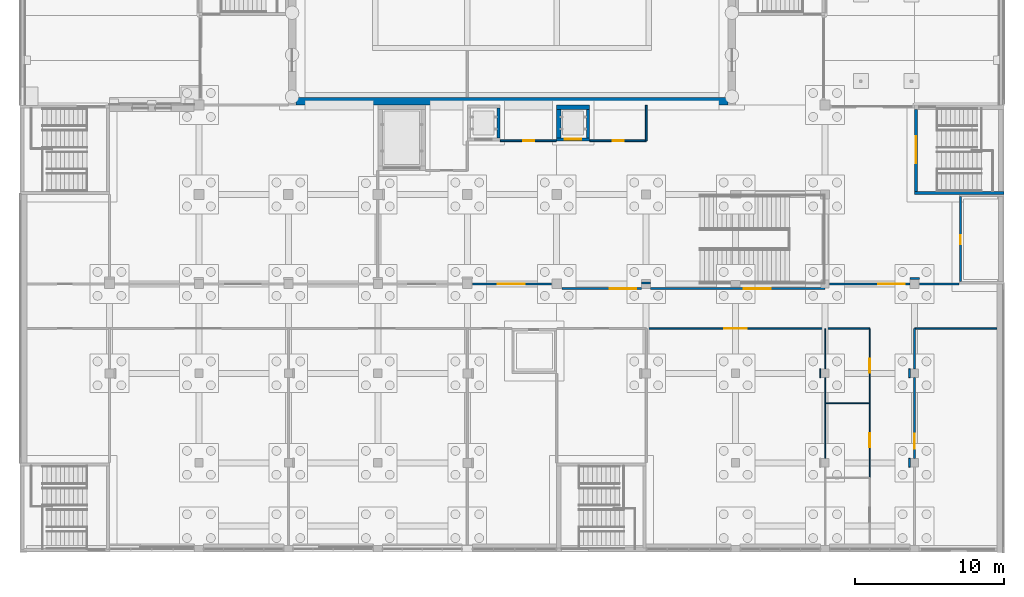
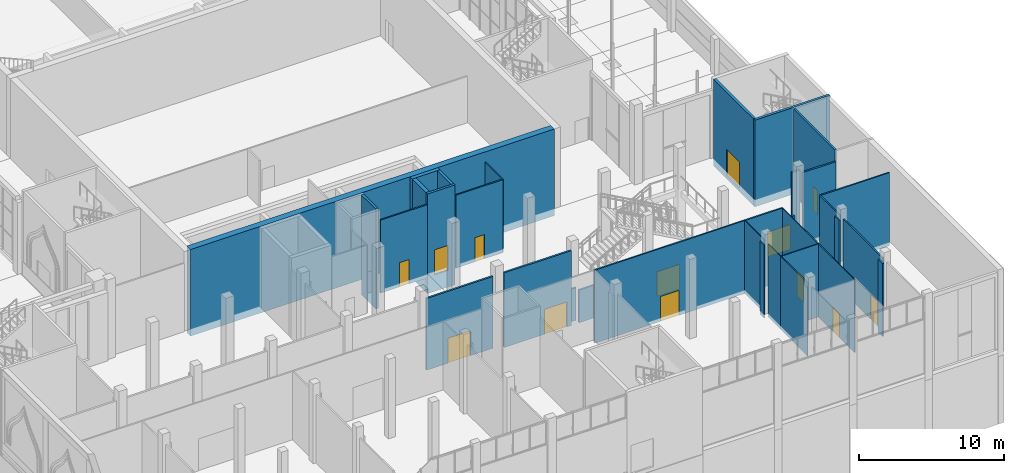
# One storey, part 42 of 95: 32 walls, 13 doors, 13 openings.
"""IFC4 building model written with IfcOpenShell, lengths in metres."""

import ifcopenshell
import ifcopenshell.guid

model = None  # the IFC model being written
_history = None  # IfcOwnerHistory: only IFC2X3 demands one
_inside = {}  # id of a spatial element -> (the spatial element, [elements in it])
_under = {}  # id of a project, library or spatial element -> (it, [spatial elements below it])
_declared = {}  # id of a project -> (the project, [libraries it declares])
_typed = {}  # id of a type object -> (the type object, [elements of that type])
_made_of = {}  # id of a material, layer set ... -> (it, [elements and type objects made of it])


def new_model(schema):
    """Start an empty IFC model of exactly this schema.

    Asked for "IFC4X3", IfcOpenShell would pick the latest addendum, in which some entities
    have other attributes; the version numbers below select the first issue.
    IFC2X3 requires an IfcOwnerHistory on every rooted entity: one is made here for all.
    """
    global model, _history
    if schema == "IFC4X3":
        model = ifcopenshell.file(schema_version=(4, 3, 0, 0))
    else:
        model = ifcopenshell.file(schema=schema)
    _inside.clear()
    _under.clear()
    _declared.clear()
    _typed.clear()
    _made_of.clear()
    _history = None
    if model.schema == "IFC2X3":
        org = make("IfcOrganization", Name="unknown")
        user = make(
            "IfcPersonAndOrganization",
            ThePerson=make("IfcPerson", FamilyName="unknown"),
            TheOrganization=org,
        )
        app = make(
            "IfcApplication",
            ApplicationDeveloper=org,
            Version="unknown",
            ApplicationFullName="unknown",
            ApplicationIdentifier="unknown",
        )
        _history = make(
            "IfcOwnerHistory",
            OwningUser=user,
            OwningApplication=app,
            ChangeAction="ADDED",
            CreationDate=0,
        )
    return model


def make(cls, **values):
    """One entity of the class cls with the attributes given. An attribute that is None is left unset."""
    return model.create_entity(
        cls, **{name: value for name, value in values.items() if value is not None}
    )


def rooted(cls, **values):
    """An entity with a GlobalId (a new one), such as an element, a storey or a relation."""
    return make(cls, GlobalId=ifcopenshell.guid.new(), OwnerHistory=_history, **values)


def si_unit(unit_type, name, prefix=None):
    """IfcSIUnit, for example si_unit("LENGTHUNIT", "METRE", prefix="MILLI")."""
    return make("IfcSIUnit", UnitType=unit_type, Prefix=prefix, Name=name)


def assignment(units):
    """IfcUnitAssignment: the units of a project."""
    return None if units is None else make("IfcUnitAssignment", Units=units)


def point(xyz):
    """IfcCartesianPoint."""
    return None if xyz is None else make("IfcCartesianPoint", Coordinates=xyz)


def direction(xyz):
    """IfcDirection."""
    return None if xyz is None else make("IfcDirection", DirectionRatios=xyz)


def frame(location, z_axis=None, x_axis=None):
    """IfcAxis2Placement3D, a coordinate frame: its origin and axes. An axis left out is left unset."""
    return make(
        "IfcAxis2Placement3D",
        Location=point(location),
        Axis=direction(z_axis),
        RefDirection=direction(x_axis),
    )


def frame_2d(location, x_axis=None):
    """IfcAxis2Placement2D, a coordinate frame in the plane: its origin and x axis."""
    return make(
        "IfcAxis2Placement2D", Location=point(location), RefDirection=direction(x_axis)
    )


def origin():
    """The frame at (0, 0, 0) with its axes left unset."""
    return frame((0.0, 0.0, 0.0))


def place(relative_to, where):
    """IfcLocalPlacement: puts the frame where relative to a parent placement (None: the world)."""
    return make(
        "IfcLocalPlacement", PlacementRelTo=relative_to, RelativePlacement=where
    )


def context(
    kind, dimensions, precision=None, world=None, true_north=None, identifier=None
):
    """IfcGeometricRepresentationContext, for example the 3D "Model" context."""
    return make(
        "IfcGeometricRepresentationContext",
        ContextIdentifier=identifier,
        ContextType=kind,
        CoordinateSpaceDimension=dimensions,
        Precision=precision,
        WorldCoordinateSystem=world,
        TrueNorth=true_north,
    )


def subcontext(parent, identifier, kind, view, scale=None):
    """IfcGeometricRepresentationSubContext, for example "Body" below "Model"."""
    return make(
        "IfcGeometricRepresentationSubContext",
        ContextIdentifier=identifier,
        ContextType=kind,
        ParentContext=parent,
        TargetScale=scale,
        TargetView=view,
    )


def project(units=None, contexts=None):
    """IfcProject with its units and contexts."""
    return rooted(
        "IfcProject",
        Name="project",
        RepresentationContexts=contexts,
        UnitsInContext=assignment(units),
    )


def spatial(cls, under=None, at=None, **own):
    """A site, building, storey or space (cls), placed at a placement, below another one or the project."""
    s = rooted(cls, ObjectPlacement=at, **own)
    if under is not None:
        _under.setdefault(under.id(), (under, []))[1].append(s)
    return s


def profile(cls, at=None, kind="AREA", **sizes):
    """A parametric profile (cls). Its sizes go by their IFC names, for example OverallWidth=200.0."""
    return make(cls, ProfileType=kind, Position=at, **sizes)


def rectangle(**sizes):
    """IfcRectangleProfileDef."""
    return profile("IfcRectangleProfileDef", **sizes)


def extrude(swept, where, along, depth):
    """IfcExtrudedAreaSolid: the profile swept, set in the frame where, extruded along a direction by depth."""
    return make(
        "IfcExtrudedAreaSolid",
        SweptArea=swept,
        Position=where,
        ExtrudedDirection=direction(along),
        Depth=depth,
    )


def shape(context_of_items, identifier, shape_type, items):
    """IfcShapeRepresentation: the items that make up one representation, for example the "Body"."""
    return make(
        "IfcShapeRepresentation",
        ContextOfItems=context_of_items,
        RepresentationIdentifier=identifier,
        RepresentationType=shape_type,
        Items=items,
    )


def material(Name=None, Category=None):
    """IfcMaterial."""
    return make("IfcMaterial", Name=Name, Category=Category)


def layer(
    of_material, thickness, ventilated=None, Name=None, Category=None, Priority=None
):
    """IfcMaterialLayer: one layer of a wall or slab, of a material (None: an air gap)."""
    return make(
        "IfcMaterialLayer",
        Material=of_material,
        LayerThickness=thickness,
        IsVentilated=ventilated,
        Name=Name,
        Category=Category,
        Priority=Priority,
    )


def layer_set(layers, Name=None):
    """IfcMaterialLayerSet."""
    return make("IfcMaterialLayerSet", MaterialLayers=layers, LayerSetName=Name)


def made_of(thing, what):
    """Note that an element or type object is made of a material, layer set ...; save() writes the relation."""
    if what is not None:
        _made_of.setdefault(what.id(), (what, []))[1].append(thing)
    return thing


def type_object(cls, material=None, **own):
    """A type object (cls), such as IfcWallType, which elements share."""
    return made_of(rooted(cls, **own), material)


def element(
    cls,
    number,
    at=None,
    inside=None,
    cuts=None,
    type_object=None,
    material=None,
    context=None,
    identifier="Body",
    shape_type=None,
    held_by="IfcProductDefinitionShape",
    body=None,
    shapes=None,
    **own,
):
    """One element of the class cls, such as IfcWall. Its Tag is "e" and its number.

    at: its placement. inside: the storey or other place that contains it. cuts: it is an
    opening in that element (IfcRelVoidsElement). A single representation is given by context,
    identifier, shape_type and body (its items); several are given by shapes. held_by: the class
    of the entity that holds the representations. save() writes the other relations.
    """
    e = rooted(cls, Tag="e%d" % number, ObjectPlacement=at, **own)
    if body is not None:
        shapes = [shape(context, identifier, shape_type, body)]
    if shapes is not None:
        e.Representation = make(held_by, Representations=shapes)
    if inside is not None:
        _inside.setdefault(inside.id(), (inside, []))[1].append(e)
    if cuts is not None:
        rooted(
            "IfcRelVoidsElement", RelatingBuildingElement=cuts, RelatedOpeningElement=e
        )
    if type_object is not None:
        _typed.setdefault(type_object.id(), (type_object, []))[1].append(e)
    return made_of(e, material)


def fill(opening, filler):
    """IfcRelFillsElement: the door or window that sits in an opening."""
    return rooted(
        "IfcRelFillsElement",
        RelatingOpeningElement=opening,
        RelatedBuildingElement=filler,
    )


def aggregate(whole, parts):
    """IfcRelAggregates: a whole, such as a stair, and the parts it consists of."""
    return rooted("IfcRelAggregates", RelatingObject=whole, RelatedObjects=parts)


def save(model, path):
    """Write the relations noted so far, then the file.

    IfcRelAggregates (storeys below a building ...), IfcRelContainedInSpatialStructure (elements
    in a storey), IfcRelDefinesByType, IfcRelAssociatesMaterial and IfcRelDeclares: one each for
    every whole, place, type object, material and project.
    """
    for whole, parts in _under.values():
        aggregate(whole, parts)
    for where, things in _inside.values():
        rooted(
            "IfcRelContainedInSpatialStructure",
            RelatedElements=things,
            RelatingStructure=where,
        )
    for kind, things in _typed.values():
        rooted("IfcRelDefinesByType", RelatedObjects=things, RelatingType=kind)
    for what, things in _made_of.values():
        rooted("IfcRelAssociatesMaterial", RelatedObjects=things, RelatingMaterial=what)
    for by, libraries in _declared.values():
        rooted("IfcRelDeclares", RelatingContext=by, RelatedDefinitions=libraries)
    model.write(path)


model = new_model("IFC4")

# Units and contexts
model_context = context("Model", 3, precision=1e-05, world=origin(), true_north=direction((0.0, 1.0)))
body_context = subcontext(model_context, "Body", "Model", "MODEL_VIEW")
ifc_project = project(units=[si_unit("LENGTHUNIT", "METRE"), si_unit("AREAUNIT", "SQUARE_METRE"), si_unit("VOLUMEUNIT", "CUBIC_METRE"), si_unit("PLANEANGLEUNIT", "RADIAN"), si_unit("MASSUNIT", "GRAM", prefix="KILO")], contexts=[model_context])

# Site, building, storey
site_placement = place(None, origin())
site = spatial("IfcSite", under=ifc_project, at=site_placement, CompositionType="ELEMENT")
building_placement = place(site_placement, origin())
building = spatial("IfcBuilding", under=site, at=building_placement, Name="Saffron Lane Theatres", CompositionType="ELEMENT")
storey_placement = place(building_placement, origin())
storey = spatial("IfcBuildingStorey", under=building, at=storey_placement, Name="L00", CompositionType="ELEMENT", Elevation=0.0)

# Wall, opening, door
ifc_material_1 = material(Name="Masonry block partition", Category="masonry")
ifc_layer_1 = layer(ifc_material_1, 0.110107421875)
ifc_layer_set_1 = layer_set([ifc_layer_1], Name="Masonry block partition")
wall_type_1 = type_object("IfcWallType", Name="IN-BLOCK PARTITION 110", PredefinedType="PARTITIONING", material=ifc_layer_set_1)
wall_1_placement = place(storey_placement, frame((32.219970703125, 27.60009765625, 0.0), z_axis=(0.0, 0.0, 1.0), x_axis=(1.0, 0.0, 0.0)))
wall_1 = element("IfcWall", 1, at=wall_1_placement, inside=storey, type_object=wall_type_1, Name="PW-L00-033", PredefinedType="PARTITIONING", context=body_context, shape_type="SweptSolid", body=[
    extrude(rectangle(XDim=3.760009765625, YDim=0.110107421875, at=frame_2d((1.8798828125, 0.0))), origin(), (0.0, 0.0, 1.0), 6.14990234375),
])
opening_1_placement = place(wall_1_placement, frame((1.530029296875, 0.0, 0.0)))
opening_1 = element("IfcOpeningElement", 2, at=opening_1_placement, cuts=wall_1, Name="Opening D00-48", PredefinedType="OPENING", context=body_context, shape_type="SweptSolid", body=[
    extrude(rectangle(XDim=0.75, YDim=2.0400390625, at=frame_2d((0.375, 1.02001953125))), frame((0.0, 0.06494140625, 0.0), z_axis=(0.0, -1.0, 0.0), x_axis=(1.0, 0.0, 0.0)), (0.0, 0.0, 1.0), 0.130126953125),
])
ifc_material_2 = material(Name="Steel faced fire door leaf", Category="steel")
door_type_1 = type_object("IfcDoorType", Name="IN-DOOR 750x2040 FD60", OperationType="NOTDEFINED", PredefinedType="DOOR", material=ifc_material_2)
door_1_placement = place(opening_1_placement, origin())
door_1 = element("IfcDoor", 3, at=door_1_placement, inside=storey, type_object=door_type_1, Name="D00-48", OperationType="SINGLE_SWING_RIGHT", OverallHeight=2.0400390625, OverallWidth=0.75, PredefinedType="DOOR", context=body_context, shape_type="SweptSolid", body=[
    extrude(rectangle(XDim=0.75, YDim=2.0400390625, at=frame_2d((0.375, 1.02001953125))), frame((0.0, 0.02490234375, 0.0), z_axis=(0.0, -1.0, 0.0), x_axis=(1.0, 0.0, 0.0)), (0.0, 0.0, 1.0), 0.050048828125),
])
fill(opening_1, door_1)

wall_2_placement = place(storey_placement, frame((38.219970703125, 27.60009765625, 0.0), z_axis=(0.0, 0.0, 1.0), x_axis=(1.0, 0.0, 0.0)))
wall_2 = element("IfcWall", 4, at=wall_2_placement, inside=storey, type_object=wall_type_1, Name="PW-L00-036", PredefinedType="PARTITIONING", context=body_context, shape_type="SweptSolid", body=[
    extrude(rectangle(XDim=3.780029296875, YDim=0.110107421875, at=frame_2d((1.89013671875, 0.0))), origin(), (0.0, 0.0, 1.0), 6.14990234375),
])
opening_2_placement = place(wall_2_placement, frame((1.530029296875, 0.0, 0.0)))
opening_2 = element("IfcOpeningElement", 5, at=opening_2_placement, cuts=wall_2, Name="Opening D00-49", PredefinedType="OPENING", context=body_context, shape_type="SweptSolid", body=[
    extrude(rectangle(XDim=0.75, YDim=2.0400390625, at=frame_2d((0.375, 1.02001953125))), frame((0.0, 0.06494140625, 0.0), z_axis=(0.0, -1.0, 0.0), x_axis=(1.0, 0.0, 0.0)), (0.0, 0.0, 1.0), 0.130126953125),
])
door_2_placement = place(opening_2_placement, origin())
door_2 = element("IfcDoor", 6, at=door_2_placement, inside=storey, type_object=door_type_1, Name="D00-49", OperationType="SINGLE_SWING_RIGHT", OverallHeight=2.0400390625, OverallWidth=0.75, PredefinedType="DOOR", context=body_context, shape_type="SweptSolid", body=[
    extrude(rectangle(XDim=0.75, YDim=2.0400390625, at=frame_2d((0.375, 1.02001953125))), frame((0.0, 0.02490234375, 0.0), z_axis=(0.0, -1.0, 0.0), x_axis=(1.0, 0.0, 0.0)), (0.0, 0.0, 1.0), 0.050048828125),
])
fill(opening_2, door_2)

# Wall
wall_3_placement = place(storey_placement, frame((42.0, 27.60009765625, 0.0), z_axis=(0.0, 0.0, 1.0), x_axis=(0.0, 1.0, 0.0)))
element("IfcWall", 7, at=wall_3_placement, inside=storey, type_object=wall_type_1, Name="PW-L00-037", PredefinedType="PARTITIONING", context=body_context, shape_type="SweptSolid", body=[
    extrude(rectangle(XDim=2.3798828125, YDim=0.110107421875, at=frame_2d((1.18994140625, 0.0))), origin(), (0.0, 0.0, 1.0), 6.14990234375),
])

# Wall, opening, door
wall_4_placement = place(storey_placement, frame((42.0, 15.0, 0.0), z_axis=(0.0, 0.0, 1.0), x_axis=(1.0, 0.0, 0.0)))
wall_4 = element("IfcWall", 8, at=wall_4_placement, inside=storey, type_object=wall_type_1, Name="PW-L00-041", PredefinedType="PARTITIONING", context=body_context, shape_type="SweptSolid", body=[
    extrude(rectangle(XDim=15.0, YDim=0.110107421875, at=frame_2d((7.5, 0.0))), origin(), (0.0, 0.0, 1.0), 6.14990234375),
])
opening_3_placement = place(wall_4_placement, frame((5.25, 0.0, 0.0)))
opening_3 = element("IfcOpeningElement", 9, at=opening_3_placement, cuts=wall_4, Name="Opening D00-26", PredefinedType="OPENING", context=body_context, shape_type="SweptSolid", body=[
    extrude(rectangle(XDim=1.5, YDim=2.10009765625, at=frame_2d((0.75, 1.050048828125))), frame((0.0, 0.06494140625, 0.0), z_axis=(0.0, -1.0, 0.0), x_axis=(1.0, 0.0, 0.0)), (0.0, 0.0, 1.0), 0.130126953125),
])
ifc_material_3 = material(Name="Steel faced fire door leaf", Category="steel")
door_type_2 = type_object("IfcDoorType", Name="IN-DOOR 1500x2100 FD60", OperationType="DOUBLE_DOOR_SINGLE_SWING", PredefinedType="DOOR", material=ifc_material_3)
door_3_placement = place(opening_3_placement, origin())
door_3 = element("IfcDoor", 10, at=door_3_placement, inside=storey, type_object=door_type_2, Name="D00-26", OperationType="DOUBLE_DOOR_SINGLE_SWING", OverallHeight=2.10009765625, OverallWidth=1.5, PredefinedType="DOOR", context=body_context, shape_type="SweptSolid", body=[
    extrude(rectangle(XDim=1.5, YDim=2.10009765625, at=frame_2d((0.75, 1.050048828125))), frame((0.0, 0.02490234375, 0.0), z_axis=(0.0, -1.0, 0.0), x_axis=(1.0, 0.0, 0.0)), (0.0, 0.0, 1.0), 0.050048828125),
])
fill(opening_3, door_3)

# Walls
wall_5_placement = place(storey_placement, frame((60.0, 15.0, 0.0), z_axis=(0.0, 0.0, 1.0), x_axis=(1.0, 0.0, 0.0)))
element("IfcWall", 11, at=wall_5_placement, inside=storey, type_object=wall_type_1, Name="PW-L00-047", PredefinedType="PARTITIONING", context=body_context, shape_type="SweptSolid", body=[
    extrude(rectangle(XDim=5.52001953125, YDim=0.110107421875, at=frame_2d((2.760009765625, 0.0))), origin(), (0.0, 0.0, 1.0), 6.14990234375),
])
wall_6_placement = place(storey_placement, frame((60.0, 12.294921875, 0.0), z_axis=(0.0, 0.0, 1.0), x_axis=(0.0, 1.0, 0.0)))
element("IfcWall", 12, at=wall_6_placement, inside=storey, type_object=wall_type_1, Name="PW-L00-048", PredefinedType="PARTITIONING", context=body_context, shape_type="SweptSolid", body=[
    extrude(rectangle(XDim=2.705078125, YDim=0.110107421875, at=frame_2d((1.3525390625, 0.0))), origin(), (0.0, 0.0, 1.0), 6.14990234375),
])

# Wall, opening, door
wall_7_placement = place(storey_placement, frame((60.0, 6.294921875, 0.0), z_axis=(0.0, 0.0, 1.0), x_axis=(0.0, 1.0, 0.0)))
wall_7 = element("IfcWall", 13, at=wall_7_placement, inside=storey, type_object=wall_type_1, Name="PW-L00-049", PredefinedType="PARTITIONING", context=body_context, shape_type="SweptSolid", body=[
    extrude(rectangle(XDim=5.41015625, YDim=0.110107421875, at=frame_2d((2.705078125, 0.0))), origin(), (0.0, 0.0, 1.0), 6.14990234375),
])
opening_4_placement = place(wall_7_placement, frame((0.655029296875, 0.0, 0.0)))
opening_4 = element("IfcOpeningElement", 14, at=opening_4_placement, cuts=wall_7, Name="Opening D00-30", PredefinedType="OPENING", context=body_context, shape_type="SweptSolid", body=[
    extrude(rectangle(XDim=1.0, YDim=2.10009765625, at=frame_2d((0.5, 1.050048828125))), frame((0.0, 0.06494140625, 0.0), z_axis=(0.0, -1.0, 0.0), x_axis=(1.0, 0.0, 0.0)), (0.0, 0.0, 1.0), 0.130126953125),
])
ifc_material_4 = material(Name="Steel faced fire door leaf", Category="steel")
door_type_3 = type_object("IfcDoorType", Name="IN-DOOR 1000x2100 FD60", OperationType="NOTDEFINED", PredefinedType="DOOR", material=ifc_material_4)
door_4_placement = place(opening_4_placement, frame((1.0, 0.0, 0.0), z_axis=(0.0, 0.0, 1.0), x_axis=(-1.0, 0.0, 0.0)))
door_4 = element("IfcDoor", 15, at=door_4_placement, inside=storey, type_object=door_type_3, Name="D00-30", OperationType="SINGLE_SWING_LEFT", OverallHeight=2.10009765625, OverallWidth=1.0, PredefinedType="DOOR", context=body_context, shape_type="SweptSolid", body=[
    extrude(rectangle(XDim=1.0, YDim=2.10009765625, at=frame_2d((0.5, 1.050048828125))), frame((0.0, 0.02490234375, 0.0), z_axis=(0.0, -1.0, 0.0), x_axis=(1.0, 0.0, 0.0)), (0.0, 0.0, 1.0), 0.050048828125),
])
fill(opening_4, door_4)

# Walls
for number, where, z_axis, x_axis, name in (
    (16, (59.6650390625, 11.705078125, 0.0), (0.0, 0.0, 1.0), (0.0, 1.0, 0.0), "PW-L00-051"),
    (17, (59.6650390625, 5.705078125, 0.0), (0.0, 0.0, 1.0), (0.0, 1.0, 0.0), "PW-L00-052"),
):
    element("IfcWall", number, at=place(storey_placement, frame(where, z_axis=z_axis, x_axis=x_axis)), inside=storey, type_object=wall_type_1, Name=name, PredefinedType="PARTITIONING", context=body_context, shape_type="SweptSolid", body=[
        extrude(rectangle(XDim=0.58984375, YDim=0.110107421875, at=frame_2d((0.294921875, 0.0))), origin(), (0.0, 0.0, 1.0), 6.14990234375),
    ])

# Wall, opening, door
ifc_material_5 = material(Name="Masonry block partition", Category="masonry")
ifc_layer_2 = layer(ifc_material_5, 0.139892578125)
ifc_layer_set_2 = layer_set([ifc_layer_2], Name="Masonry block partition")
wall_type_2 = type_object("IfcWallType", Name="IN-BLOCK PARTITION 140", PredefinedType="PARTITIONING", material=ifc_layer_set_2)
wall_8_placement = place(storey_placement, frame((30.344970703125, 18.0, 0.0), z_axis=(0.0, 0.0, 1.0), x_axis=(1.0, 0.0, 0.0)))
wall_8 = element("IfcWall", 18, at=wall_8_placement, inside=storey, type_object=wall_type_2, Name="PW-L00-078", PredefinedType="PARTITIONING", context=body_context, shape_type="SweptSolid", body=[
    extrude(rectangle(XDim=5.31005859375, YDim=0.139892578125, at=frame_2d((2.655029296875, 0.0))), origin(), (0.0, 0.0, 1.0), 6.050048828125),
])
opening_5_placement = place(wall_8_placement, frame((1.705078125, 0.0, 0.0)))
opening_5 = element("IfcOpeningElement", 19, at=opening_5_placement, cuts=wall_8, Name="Opening D00-59", PredefinedType="OPENING", context=body_context, shape_type="SweptSolid", body=[
    extrude(rectangle(XDim=1.800048828125, YDim=2.10009765625, at=frame_2d((0.89990234375, 1.050048828125))), frame((0.0, 0.080078125, 0.0), z_axis=(0.0, -1.0, 0.0), x_axis=(1.0, 0.0, 0.0)), (0.0, 0.0, 1.0), 0.159912109375),
])
ifc_material_6 = material(Name="Steel faced fire door leaf", Category="steel")
door_type_4 = type_object("IfcDoorType", Name="IN-DOOR 1800x2100 FD120", OperationType="DOUBLE_DOOR_SINGLE_SWING", PredefinedType="DOOR", material=ifc_material_6)
door_5_placement = place(opening_5_placement, origin())
door_5 = element("IfcDoor", 20, at=door_5_placement, inside=storey, type_object=door_type_4, Name="D00-59", OperationType="DOUBLE_DOOR_SINGLE_SWING", OverallHeight=2.10009765625, OverallWidth=1.800048828125, PredefinedType="DOOR", context=body_context, shape_type="SweptSolid", body=[
    extrude(rectangle(XDim=1.800048828125, YDim=2.10009765625, at=frame_2d((0.89990234375, 1.050048828125))), frame((0.0, 0.02490234375, 0.0), z_axis=(0.0, -1.0, 0.0), x_axis=(1.0, 0.0, 0.0)), (0.0, 0.0, 1.0), 0.050048828125),
])
fill(opening_5, door_5)

wall_9_placement = place(storey_placement, frame((36.344970703125, 17.679931640625, 0.0), z_axis=(0.0, 0.0, 1.0), x_axis=(1.0, 0.0, 0.0)))
wall_9 = element("IfcWall", 21, at=wall_9_placement, inside=storey, type_object=wall_type_2, Name="PW-L00-084", PredefinedType="PARTITIONING", context=body_context, shape_type="SweptSolid", body=[
    extrude(rectangle(XDim=5.35498046875, YDim=0.139892578125, at=frame_2d((2.677490234375, 0.0))), origin(), (0.0, 0.0, 1.0), 6.300048828125),
])
opening_6_placement = place(wall_9_placement, frame((3.205078125, 0.0, 0.0)))
opening_6 = element("IfcOpeningElement", 22, at=opening_6_placement, cuts=wall_9, Name="Opening D00-61", PredefinedType="OPENING", context=body_context, shape_type="SweptSolid", body=[
    extrude(rectangle(XDim=1.800048828125, YDim=2.10009765625, at=frame_2d((0.89990234375, 1.050048828125))), frame((0.0, 0.080078125, 0.0), z_axis=(0.0, -1.0, 0.0), x_axis=(1.0, 0.0, 0.0)), (0.0, 0.0, 1.0), 0.159912109375),
])
door_6_placement = place(opening_6_placement, origin())
door_6 = element("IfcDoor", 23, at=door_6_placement, inside=storey, type_object=door_type_4, Name="D00-61", OperationType="DOUBLE_DOOR_SINGLE_SWING", OverallHeight=2.10009765625, OverallWidth=1.800048828125, PredefinedType="DOOR", context=body_context, shape_type="SweptSolid", body=[
    extrude(rectangle(XDim=1.800048828125, YDim=2.10009765625, at=frame_2d((0.89990234375, 1.050048828125))), frame((0.0, 0.02490234375, 0.0), z_axis=(0.0, -1.0, 0.0), x_axis=(1.0, 0.0, 0.0)), (0.0, 0.0, 1.0), 0.050048828125),
])
fill(opening_6, door_6)

wall_10_placement = place(storey_placement, frame((42.300048828125, 17.679931640625, 0.0), z_axis=(0.0, 0.0, 1.0), x_axis=(1.0, 0.0, 0.0)))
wall_10 = element("IfcWall", 24, at=wall_10_placement, inside=storey, type_object=wall_type_2, Name="PW-L00-085", PredefinedType="PARTITIONING", context=body_context, shape_type="SweptSolid", body=[
    extrude(rectangle(XDim=11.699951171875, YDim=0.139892578125, at=frame_2d((5.85009765625, 0.0))), origin(), (0.0, 0.0, 1.0), 2.75),
])
opening_7_placement = place(wall_10_placement, frame((6.25, 0.0, 0.0)))
opening_7 = element("IfcOpeningElement", 25, at=opening_7_placement, cuts=wall_10, Name="Opening D00-62", PredefinedType="OPENING", context=body_context, shape_type="SweptSolid", body=[
    extrude(rectangle(XDim=1.800048828125, YDim=2.10009765625, at=frame_2d((0.89990234375, 1.050048828125))), frame((0.0, 0.080078125, 0.0), z_axis=(0.0, -1.0, 0.0), x_axis=(1.0, 0.0, 0.0)), (0.0, 0.0, 1.0), 0.159912109375),
])
door_7_placement = place(opening_7_placement, origin())
door_7 = element("IfcDoor", 26, at=door_7_placement, inside=storey, type_object=door_type_4, Name="D00-62", OperationType="DOUBLE_DOOR_SINGLE_SWING", OverallHeight=2.10009765625, OverallWidth=1.800048828125, PredefinedType="DOOR", context=body_context, shape_type="SweptSolid", body=[
    extrude(rectangle(XDim=1.800048828125, YDim=2.10009765625, at=frame_2d((0.89990234375, 1.050048828125))), frame((0.0, 0.02490234375, 0.0), z_axis=(0.0, -1.0, 0.0), x_axis=(1.0, 0.0, 0.0)), (0.0, 0.0, 1.0), 0.050048828125),
])
fill(opening_7, door_7)

# Wall
wall_11_placement = place(storey_placement, frame((41.699951171875, 18.054931640625, 0.0), z_axis=(0.0, 0.0, 1.0), x_axis=(1.0, 0.0, 0.0)))
element("IfcWall", 27, at=wall_11_placement, inside=storey, type_object=wall_type_2, Name="PW-L00-086", PredefinedType="PARTITIONING", context=body_context, shape_type="SweptSolid", body=[
    extrude(rectangle(XDim=0.60009765625, YDim=0.139892578125, at=frame_2d((0.300048828125, 0.0))), origin(), (0.0, 0.0, 1.0), 2.75),
])

# Wall, opening, door
wall_12_placement = place(storey_placement, frame((54.294921875, 18.0, 0.0), z_axis=(0.0, 0.0, 1.0), x_axis=(1.0, 0.0, 0.0)))
wall_12 = element("IfcWall", 28, at=wall_12_placement, inside=storey, type_object=wall_type_2, Name="PW-L00-087", PredefinedType="PARTITIONING", context=body_context, shape_type="SweptSolid", body=[
    extrude(rectangle(XDim=5.385009765625, YDim=0.139892578125, at=frame_2d((2.6923828125, 0.0))), origin(), (0.0, 0.0, 1.0), 2.75),
])
opening_8_placement = place(wall_12_placement, frame((3.2548828125, 0.0, 0.0)))
opening_8 = element("IfcOpeningElement", 29, at=opening_8_placement, cuts=wall_12, Name="Opening D00-63", PredefinedType="OPENING", context=body_context, shape_type="SweptSolid", body=[
    extrude(rectangle(XDim=1.800048828125, YDim=2.10009765625, at=frame_2d((0.89990234375, 1.050048828125))), frame((0.0, 0.080078125, 0.0), z_axis=(0.0, -1.0, 0.0), x_axis=(1.0, 0.0, 0.0)), (0.0, 0.0, 1.0), 0.159912109375),
])
door_8_placement = place(opening_8_placement, origin())
door_8 = element("IfcDoor", 30, at=door_8_placement, inside=storey, type_object=door_type_4, Name="D00-63", OperationType="DOUBLE_DOOR_SINGLE_SWING", OverallHeight=2.10009765625, OverallWidth=1.800048828125, PredefinedType="DOOR", context=body_context, shape_type="SweptSolid", body=[
    extrude(rectangle(XDim=1.800048828125, YDim=2.10009765625, at=frame_2d((0.89990234375, 1.050048828125))), frame((0.0, 0.02490234375, 0.0), z_axis=(0.0, -1.0, 0.0), x_axis=(1.0, 0.0, 0.0)), (0.0, 0.0, 1.0), 0.050048828125),
])
fill(opening_8, door_8)

# Walls
wall_13_placement = place(storey_placement, frame((60.320068359375, 18.0, 0.0), z_axis=(0.0, 0.0, 1.0), x_axis=(1.0, 0.0, 0.0)))
element("IfcWall", 31, at=wall_13_placement, inside=storey, type_object=wall_type_2, Name="PW-L00-088", PredefinedType="PARTITIONING", context=body_context, shape_type="SweptSolid", body=[
    extrude(rectangle(XDim=2.659912109375, YDim=0.139892578125, at=frame_2d((1.330078125, 0.0))), origin(), (0.0, 0.0, 1.0), 6.14990234375),
])
wall_14_placement = place(storey_placement, frame((59.679931640625, 18.375, 0.0), z_axis=(0.0, 0.0, 1.0), x_axis=(1.0, 0.0, 0.0)))
element("IfcWall", 32, at=wall_14_placement, inside=storey, type_object=wall_type_2, Name="PW-L00-089", PredefinedType="PARTITIONING", context=body_context, shape_type="SweptSolid", body=[
    extrude(rectangle(XDim=0.64013671875, YDim=0.139892578125, at=frame_2d((0.320068359375, 0.0))), origin(), (0.0, 0.0, 1.0), 6.14990234375),
])
ifc_material_7 = material(Name="Plasterboard on 70 mm steel studs", Category="steel")
ifc_layer_3 = layer(ifc_material_7, 0.070068359375)
ifc_layer_set_3 = layer_set([ifc_layer_3], Name="Plasterboard on 70 mm steel studs")
wall_type_3 = type_object("IfcWallType", Name="IN-STUD PARTITION 070", PredefinedType="PARTITIONING", material=ifc_layer_set_3)
wall_15_placement = place(storey_placement, frame((54.0, 6.294921875, 0.0), z_axis=(0.0, 0.0, 1.0), x_axis=(0.0, 1.0, 0.0)))
element("IfcWall", 33, at=wall_15_placement, inside=storey, type_object=wall_type_3, Name="PW-L00-092", PredefinedType="PARTITIONING", context=body_context, shape_type="SweptSolid", body=[
    extrude(rectangle(XDim=3.705078125, YDim=0.070068359375, at=frame_2d((1.8525390625, 0.0))), origin(), (0.0, 0.0, 1.0), 6.14990234375),
])
wall_16_placement = place(storey_placement, frame((54.0, 10.0, 0.0), z_axis=(0.0, 0.0, 1.0), x_axis=(1.0, 0.0, 0.0)))
element("IfcWall", 34, at=wall_16_placement, inside=storey, type_object=wall_type_3, Name="PW-L00-095", PredefinedType="PARTITIONING", context=body_context, shape_type="SweptSolid", body=[
    extrude(rectangle(XDim=3.0, YDim=0.070068359375, at=frame_2d((1.5, 0.0))), origin(), (0.0, 0.0, 1.0), 6.14990234375),
])
wall_17_placement = place(storey_placement, frame((54.0, 12.294921875, 0.0), z_axis=(0.0, 0.0, 1.0), x_axis=(0.0, 1.0, 0.0)))
element("IfcWall", 35, at=wall_17_placement, inside=storey, type_object=wall_type_3, Name="PW-L00-096", PredefinedType="PARTITIONING", context=body_context, shape_type="SweptSolid", body=[
    extrude(rectangle(XDim=2.705078125, YDim=0.070068359375, at=frame_2d((1.3525390625, 0.0))), origin(), (0.0, 0.0, 1.0), 6.14990234375),
])
wall_18_placement = place(storey_placement, frame((54.0, 10.0, 0.0), z_axis=(0.0, 0.0, 1.0), x_axis=(0.0, 1.0, 0.0)))
element("IfcWall", 36, at=wall_18_placement, inside=storey, type_object=wall_type_3, Name="PW-L00-097", PredefinedType="PARTITIONING", context=body_context, shape_type="SweptSolid", body=[
    extrude(rectangle(XDim=1.705078125, YDim=0.070068359375, at=frame_2d((0.8525390625, 0.0))), origin(), (0.0, 0.0, 1.0), 6.14990234375),
])
wall_19_placement = place(storey_placement, frame((53.68505859375, 11.705078125, 0.0), z_axis=(0.0, 0.0, 1.0), x_axis=(0.0, 1.0, 0.0)))
element("IfcWall", 37, at=wall_19_placement, inside=storey, type_object=wall_type_3, Name="PW-L00-098", PredefinedType="PARTITIONING", context=body_context, shape_type="SweptSolid", body=[
    extrude(rectangle(XDim=0.58984375, YDim=0.070068359375, at=frame_2d((0.294921875, 0.0))), origin(), (0.0, 0.0, 1.0), 6.14990234375),
])

# Wall, opening, door
wall_20_placement = place(storey_placement, frame((57.0, 5.0, 0.0), z_axis=(0.0, 0.0, 1.0), x_axis=(0.0, 1.0, 0.0)))
wall_20 = element("IfcWall", 38, at=wall_20_placement, inside=storey, type_object=wall_type_3, Name="PW-L00-100", PredefinedType="PARTITIONING", context=body_context, shape_type="SweptSolid", body=[
    extrude(rectangle(XDim=5.0, YDim=0.070068359375, at=frame_2d((2.5, 0.0))), origin(), (0.0, 0.0, 1.0), 6.14990234375),
])
opening_9_placement = place(wall_20_placement, frame((2.050048828125, 0.0, 0.0)))
opening_9 = element("IfcOpeningElement", 39, at=opening_9_placement, cuts=wall_20, Name="Opening D00-28", PredefinedType="OPENING", context=body_context, shape_type="SweptSolid", body=[
    extrude(rectangle(XDim=0.919921875, YDim=2.0400390625, at=frame_2d((0.4599609375, 1.02001953125))), frame((0.0, 0.044921875, 0.0), z_axis=(0.0, -1.0, 0.0), x_axis=(1.0, 0.0, 0.0)), (0.0, 0.0, 1.0), 0.090087890625),
])
ifc_material_8 = material(Name="Timber door leaf", Category="wood")
door_type_5 = type_object("IfcDoorType", Name="IN-DOOR 920x2040", OperationType="NOTDEFINED", PredefinedType="DOOR", material=ifc_material_8)
door_9_placement = place(opening_9_placement, origin())
door_9 = element("IfcDoor", 40, at=door_9_placement, inside=storey, type_object=door_type_5, Name="D00-28", OperationType="SINGLE_SWING_RIGHT", OverallHeight=2.0400390625, OverallWidth=0.919921875, PredefinedType="DOOR", context=body_context, shape_type="SweptSolid", body=[
    extrude(rectangle(XDim=0.919921875, YDim=2.0400390625, at=frame_2d((0.4599609375, 1.02001953125))), frame((0.0, 0.02490234375, 0.0), z_axis=(0.0, -1.0, 0.0), x_axis=(1.0, 0.0, 0.0)), (0.0, 0.0, 1.0), 0.050048828125),
])
fill(opening_9, door_9)

wall_21_placement = place(storey_placement, frame((57.0, 10.0, 0.0), z_axis=(0.0, 0.0, 1.0), x_axis=(0.0, 1.0, 0.0)))
wall_21 = element("IfcWall", 41, at=wall_21_placement, inside=storey, type_object=wall_type_3, Name="PW-L00-101", PredefinedType="PARTITIONING", context=body_context, shape_type="SweptSolid", body=[
    extrude(rectangle(XDim=5.0, YDim=0.070068359375, at=frame_2d((2.5, 0.0))), origin(), (0.0, 0.0, 1.0), 6.14990234375),
])
opening_10_placement = place(wall_21_placement, frame((2.050048828125, 0.0, 0.0)))
opening_10 = element("IfcOpeningElement", 42, at=opening_10_placement, cuts=wall_21, Name="Opening D00-29", PredefinedType="OPENING", context=body_context, shape_type="SweptSolid", body=[
    extrude(rectangle(XDim=0.919921875, YDim=2.0400390625, at=frame_2d((0.4599609375, 1.02001953125))), frame((0.0, 0.044921875, 0.0), z_axis=(0.0, -1.0, 0.0), x_axis=(1.0, 0.0, 0.0)), (0.0, 0.0, 1.0), 0.090087890625),
])
door_10_placement = place(opening_10_placement, origin())
door_10 = element("IfcDoor", 43, at=door_10_placement, inside=storey, type_object=door_type_5, Name="D00-29", OperationType="SINGLE_SWING_RIGHT", OverallHeight=2.0400390625, OverallWidth=0.919921875, PredefinedType="DOOR", context=body_context, shape_type="SweptSolid", body=[
    extrude(rectangle(XDim=0.919921875, YDim=2.0400390625, at=frame_2d((0.4599609375, 1.02001953125))), frame((0.0, 0.02490234375, 0.0), z_axis=(0.0, -1.0, 0.0), x_axis=(1.0, 0.0, 0.0)), (0.0, 0.0, 1.0), 0.050048828125),
])
fill(opening_10, door_10)

ifc_material_9 = material(Name="Concrete N50 (50 MPa)", Category="concrete")
ifc_layer_4 = layer(ifc_material_9, 0.14990234375)
ifc_layer_set_4 = layer_set([ifc_layer_4], Name="Concrete N50 (50 MPa)")
wall_type_4 = type_object("IfcWallType", Name="RC-CORE 150", PredefinedType="SHEAR", material=ifc_layer_set_4)
wall_22_placement = place(storey_placement, frame((63.074951171875, 18.14990234375, -0.300048828125), z_axis=(0.0, 0.0, 1.0), x_axis=(0.0, 1.0, 0.0)))
wall_22 = element("IfcWall", 44, at=wall_22_placement, inside=storey, type_object=wall_type_4, Name="W-R6-W-L00", PredefinedType="SHEAR", context=body_context, shape_type="SweptSolid", body=[
    extrude(rectangle(XDim=5.7001953125, YDim=0.14990234375, at=frame_2d((2.85009765625, 0.0))), origin(), (0.0, 0.0, 1.0), 7.300048828125),
])
opening_11_placement = place(wall_22_placement, frame((2.5, 0.0, 0.300048828125)))
opening_11 = element("IfcOpeningElement", 45, at=opening_11_placement, cuts=wall_22, Name="Opening D00-56", PredefinedType="OPENING", context=body_context, shape_type="SweptSolid", body=[
    extrude(rectangle(XDim=0.60009765625, YDim=2.0400390625, at=frame_2d((0.300048828125, 1.02001953125))), frame((0.0, 0.0849609375, 0.0), z_axis=(0.0, -1.0, 0.0), x_axis=(1.0, 0.0, 0.0)), (0.0, 0.0, 1.0), 0.169921875),
])
ifc_material_10 = material(Name="Steel faced fire door leaf", Category="steel")
door_type_6 = type_object("IfcDoorType", Name="IN-DOOR 600x2040 FD120", OperationType="NOTDEFINED", PredefinedType="DOOR", material=ifc_material_10)
door_11_placement = place(opening_11_placement, frame((0.60009765625, 0.0, 0.0), z_axis=(0.0, 0.0, 1.0), x_axis=(-1.0, 0.0, 0.0)))
door_11 = element("IfcDoor", 46, at=door_11_placement, inside=storey, type_object=door_type_6, Name="D00-56", OperationType="SINGLE_SWING_LEFT", OverallHeight=2.0400390625, OverallWidth=0.60009765625, PredefinedType="DOOR", context=body_context, shape_type="SweptSolid", body=[
    extrude(rectangle(XDim=0.60009765625, YDim=2.0400390625, at=frame_2d((0.300048828125, 1.02001953125))), frame((0.0, 0.02490234375, 0.0), z_axis=(0.0, -1.0, 0.0), x_axis=(1.0, 0.0, 0.0)), (0.0, 0.0, 1.0), 0.050048828125),
])
fill(opening_11, door_11)

# Wall
ifc_material_11 = material(Name="Concrete N50 (50 MPa)", Category="concrete")
ifc_layer_5 = layer(ifc_material_11, 0.199951171875)
ifc_layer_set_5 = layer_set([ifc_layer_5], Name="Concrete N50 (50 MPa)")
wall_type_5 = type_object("IfcWallType", Name="RC-CORE 200", PredefinedType="SHEAR", material=ifc_layer_set_5)
wall_23_placement = place(storey_placement, frame((60.0, 24.10009765625, -0.300048828125), z_axis=(0.0, 0.0, 1.0), x_axis=(1.0, 0.0, 0.0)))
element("IfcWall", 47, at=wall_23_placement, inside=storey, type_object=wall_type_5, Name="W-ST13-S-L00", PredefinedType="SHEAR", context=body_context, shape_type="SweptSolid", body=[
    extrude(rectangle(XDim=6.0, YDim=0.199951171875, at=frame_2d((3.0, 0.0))), origin(), (0.0, 0.0, 1.0), 7.300048828125),
])

# Wall, opening, door
wall_24_placement = place(storey_placement, frame((60.10009765625, 24.199951171875, -0.300048828125), z_axis=(0.0, 0.0, 1.0), x_axis=(0.0, 1.0, 0.0)))
wall_24 = element("IfcWall", 48, at=wall_24_placement, inside=storey, type_object=wall_type_5, Name="W-ST13-W-L00", PredefinedType="SHEAR", context=body_context, shape_type="SweptSolid", body=[
    extrude(rectangle(XDim=5.5, YDim=0.199951171875, at=frame_2d((2.75, 0.0))), origin(), (0.0, 0.0, 1.0), 7.300048828125),
])
opening_12_placement = place(wall_24_placement, frame((1.89990234375, 0.0, 0.300048828125)))
opening_12 = element("IfcOpeningElement", 49, at=opening_12_placement, cuts=wall_24, Name="Opening D00-43", PredefinedType="OPENING", context=body_context, shape_type="SweptSolid", body=[
    extrude(rectangle(XDim=1.800048828125, YDim=2.199951171875, at=frame_2d((0.89990234375, 1.10009765625))), frame((0.0, 0.10986328125, 0.0), z_axis=(0.0, -1.0, 0.0), x_axis=(1.0, 0.0, 0.0)), (0.0, 0.0, 1.0), 0.219970703125),
])
ifc_material_12 = material(Name="Steel faced fire door leaf", Category="steel")
door_type_7 = type_object("IfcDoorType", Name="IN-DOOR 1800x2200 FD120", OperationType="DOUBLE_DOOR_SINGLE_SWING", PredefinedType="DOOR", material=ifc_material_12)
door_12_placement = place(opening_12_placement, frame((1.800048828125, 0.0, 0.0), z_axis=(0.0, 0.0, 1.0), x_axis=(-1.0, 0.0, 0.0)))
door_12 = element("IfcDoor", 50, at=door_12_placement, inside=storey, type_object=door_type_7, Name="D00-43", OperationType="DOUBLE_DOOR_SINGLE_SWING", OverallHeight=2.199951171875, OverallWidth=1.800048828125, PredefinedType="DOOR", context=body_context, shape_type="SweptSolid", body=[
    extrude(rectangle(XDim=1.800048828125, YDim=2.199951171875, at=frame_2d((0.89990234375, 1.10009765625))), frame((0.0, 0.02490234375, 0.0), z_axis=(0.0, -1.0, 0.0), x_axis=(1.0, 0.0, 0.0)), (0.0, 0.0, 1.0), 0.050048828125),
])
fill(opening_12, door_12)

# Wall
wall_25_placement = place(storey_placement, frame((32.10009765625, 27.800048828125, -1.39990234375), z_axis=(0.0, 0.0, 1.0), x_axis=(0.0, 1.0, 0.0)))
element("IfcWall", 51, at=wall_25_placement, inside=storey, type_object=wall_type_5, Name="W-LC5-E-L00", PredefinedType="SHEAR", context=body_context, shape_type="SweptSolid", body=[
    extrude(rectangle(XDim=2.0, YDim=0.199951171875, at=frame_2d((1.0, 0.0))), origin(), (0.0, 0.0, 1.0), 8.39990234375),
])

# Wall, opening, door
wall_26_placement = place(storey_placement, frame((36.0, 27.699951171875, -1.39990234375), z_axis=(0.0, 0.0, 1.0), x_axis=(1.0, 0.0, 0.0)))
wall_26 = element("IfcWall", 52, at=wall_26_placement, inside=storey, type_object=wall_type_5, Name="W-LC6-S-L00", PredefinedType="SHEAR", context=body_context, shape_type="SweptSolid", body=[
    extrude(rectangle(XDim=2.199951171875, YDim=0.199951171875, at=frame_2d((1.10009765625, 0.0))), origin(), (0.0, 0.0, 1.0), 8.39990234375),
])
opening_13_placement = place(wall_26_placement, frame((0.550048828125, 0.0, 1.39990234375)))
opening_13 = element("IfcOpeningElement", 53, at=opening_13_placement, cuts=wall_26, Name="Opening LD20", PredefinedType="OPENING", context=body_context, shape_type="SweptSolid", body=[
    extrude(rectangle(XDim=1.10009765625, YDim=2.10009765625, at=frame_2d((0.550048828125, 1.050048828125))), frame((0.0, 0.10986328125, 0.0), z_axis=(0.0, -1.0, 0.0), x_axis=(1.0, 0.0, 0.0)), (0.0, 0.0, 1.0), 0.219970703125),
])
ifc_material_13 = material(Name="Stainless steel 316", Category="steel")
door_type_8 = type_object("IfcDoorType", Name="VC-LANDING DOOR 1100x2100", OperationType="DOUBLE_DOOR_SLIDING", PredefinedType="DOOR", material=ifc_material_13)
door_13_placement = place(opening_13_placement, origin())
door_13 = element("IfcDoor", 54, at=door_13_placement, inside=storey, type_object=door_type_8, Name="Landing doors LC6 L00", OperationType="DOUBLE_DOOR_SLIDING", OverallHeight=2.10009765625, OverallWidth=1.10009765625, PredefinedType="DOOR", context=body_context, shape_type="SweptSolid", body=[
    extrude(rectangle(XDim=1.10009765625, YDim=2.10009765625, at=frame_2d((0.550048828125, 1.050048828125))), frame((0.0, 0.02490234375, 0.0), z_axis=(0.0, -1.0, 0.0), x_axis=(1.0, 0.0, 0.0)), (0.0, 0.0, 1.0), 0.050048828125),
])
fill(opening_13, door_13)

# Walls
wall_27_placement = place(storey_placement, frame((38.10009765625, 27.800048828125, -1.39990234375), z_axis=(0.0, 0.0, 1.0), x_axis=(0.0, 1.0, 0.0)))
element("IfcWall", 55, at=wall_27_placement, inside=storey, type_object=wall_type_5, Name="W-LC6-E-L00", PredefinedType="SHEAR", context=body_context, shape_type="SweptSolid", body=[
    extrude(rectangle(XDim=1.89990234375, YDim=0.199951171875, at=frame_2d((0.949951171875, 0.0))), origin(), (0.0, 0.0, 1.0), 8.39990234375),
])
ifc_material_14 = material(Name="Concrete N50 (50 MPa)", Category="concrete")
ifc_layer_6 = layer(ifc_material_14, 0.300048828125)
ifc_layer_set_6 = layer_set([ifc_layer_6], Name="Concrete N50 (50 MPa)")
wall_type_6 = type_object("IfcWallType", Name="RC-CORE 300", PredefinedType="SHEAR", material=ifc_layer_set_6)
wall_28_placement = place(storey_placement, frame((36.0, 29.85009765625, -1.39990234375), z_axis=(0.0, 0.0, 1.0), x_axis=(1.0, 0.0, 0.0)))
element("IfcWall", 56, at=wall_28_placement, inside=storey, type_object=wall_type_6, Name="W-LC6-N-L00", PredefinedType="SHEAR", context=body_context, shape_type="SweptSolid", body=[
    extrude(rectangle(XDim=2.199951171875, YDim=0.300048828125, at=frame_2d((1.10009765625, 0.0))), origin(), (0.0, 0.0, 1.0), 8.39990234375),
])
wall_29_placement = place(storey_placement, frame((36.14990234375, 27.800048828125, -1.39990234375), z_axis=(0.0, 0.0, 1.0), x_axis=(0.0, 1.0, 0.0)))
element("IfcWall", 57, at=wall_29_placement, inside=storey, type_object=wall_type_6, Name="W-LC6-W-L00", PredefinedType="SHEAR", context=body_context, shape_type="SweptSolid", body=[
    extrude(rectangle(XDim=1.89990234375, YDim=0.300048828125, at=frame_2d((0.949951171875, 0.0))), origin(), (0.0, 0.0, 1.0), 8.39990234375),
])
ifc_material_15 = material(Name="Concrete N50 (50 MPa)", Category="concrete")
ifc_layer_7 = layer(ifc_material_15, 0.5)
ifc_layer_set_7 = layer_set([ifc_layer_7], Name="Concrete N50 (50 MPa)")
wall_type_7 = type_object("IfcWallType", Name="RC-WALL 500", PredefinedType="SHEAR", material=ifc_layer_set_7)
wall_30_placement = place(storey_placement, frame((18.5, 30.25, -0.300048828125), z_axis=(0.0, 0.0, 1.0), x_axis=(1.0, 0.0, 0.0)))
element("IfcWall", 58, at=wall_30_placement, inside=storey, type_object=wall_type_7, Name="W-BACK-L00", PredefinedType="SHEAR", context=body_context, shape_type="SweptSolid", body=[
    extrude(rectangle(XDim=29.0, YDim=0.5, at=frame_2d((14.5, 0.0))), origin(), (0.0, 0.0, 1.0), 7.300048828125),
])

save(model, "model.ifc")
